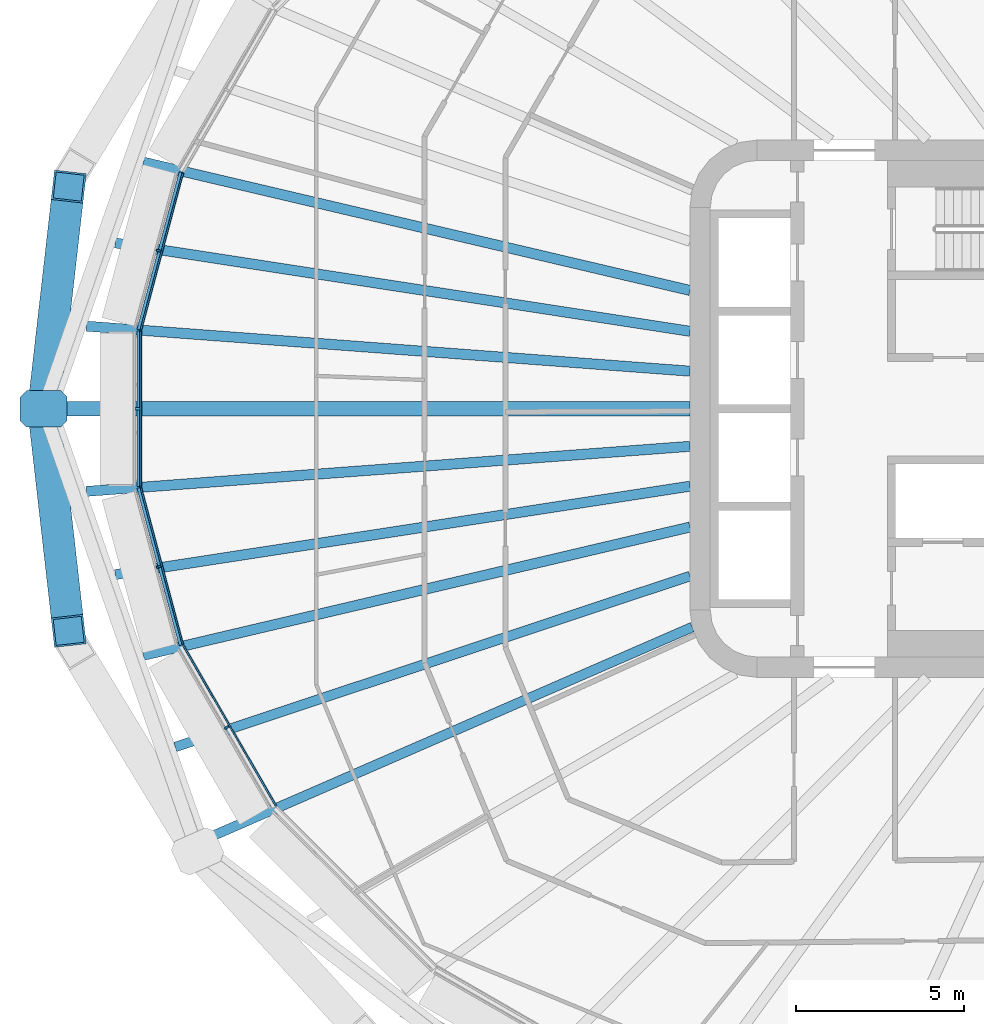
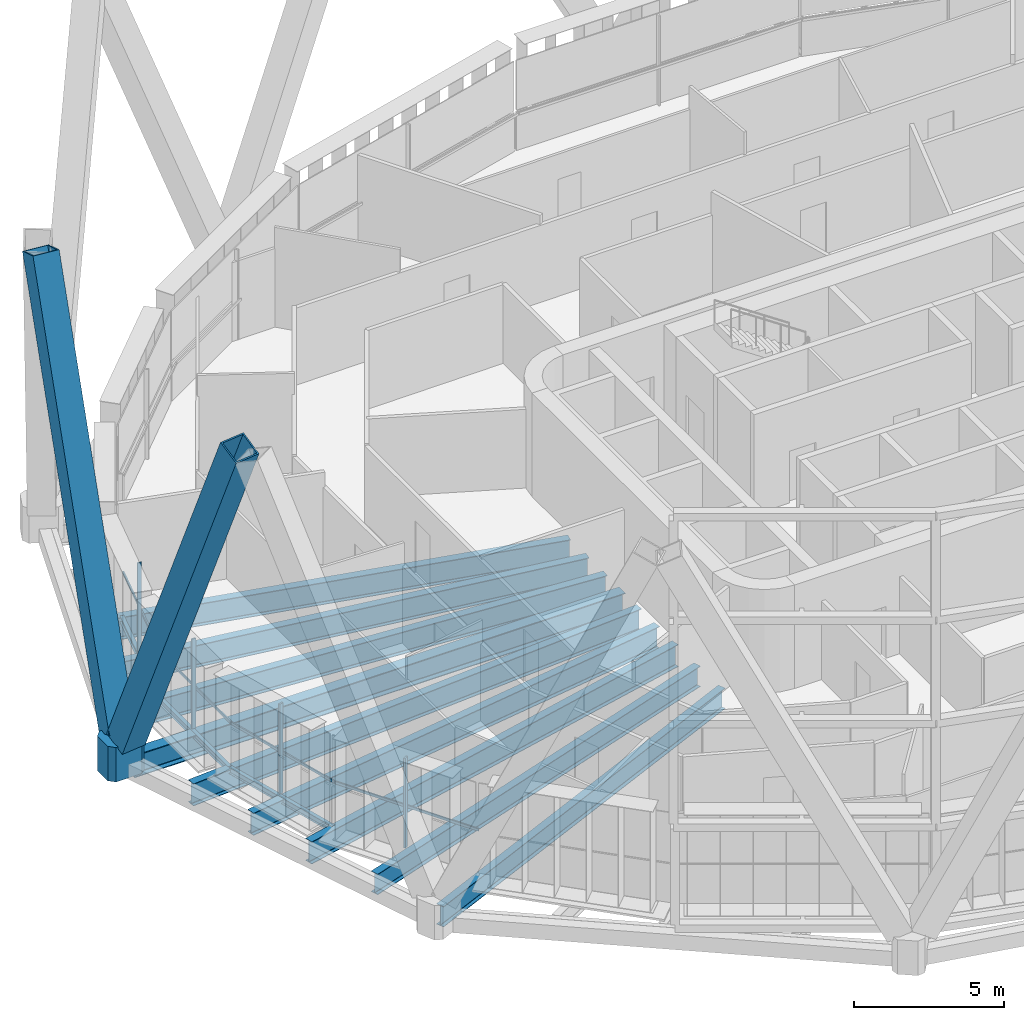
# One storey, part 3 of 25: 12 beams, 11 members, 4 elements without a shape of their own.
"""IFC4 building model written with IfcOpenShell, lengths in metres."""

from ifc_helpers import new_model, si_unit, direction, frame, origin, origin_2d, place, context, subcontext, project, spatial, polyline, rectangle, hollow_rectangle, i_section, outline, extrude, material, layer, layer_set, material_profile, profile_set, type_object, element, aggregate, save


model = new_model("IFC4")

# Units and contexts
model_context = context("Model", 3, precision=1e-05, world=origin(), true_north=direction((0.0, 1.0)))
body_context = subcontext(model_context, "Body", "Model", "MODEL_VIEW")
ifc_project = project(units=[si_unit("LENGTHUNIT", "METRE"), si_unit("AREAUNIT", "SQUARE_METRE"), si_unit("VOLUMEUNIT", "CUBIC_METRE"), si_unit("PLANEANGLEUNIT", "RADIAN"), si_unit("MASSUNIT", "GRAM", prefix="KILO")], contexts=[model_context])

# Site, building, storey
site_placement = place(None, origin())
site = spatial("IfcSite", under=ifc_project, at=site_placement, CompositionType="ELEMENT")
building_placement = place(site_placement, origin())
building = spatial("IfcBuilding", under=site, at=building_placement, Name="Sahrelin Media Tower", CompositionType="ELEMENT")
storey_placement = place(building_placement, frame((0.0, 0.0, 79.800048828125)))
storey = spatial("IfcBuildingStorey", under=building, at=storey_placement, Name="L14", CompositionType="ELEMENT", Elevation=79.800048828125)

# Members
ifc_material_1 = material(Name="Steel S460", Category="steel")
ifc_material_profile_1 = material_profile(ifc_material_1, hollow_rectangle(XDim=0.949951171875, YDim=0.949951171875, WallThickness=0.054931640625, at=origin_2d()), Name="Diagrid diagonal DG2")
ifc_profile_set_1 = profile_set([ifc_material_profile_1], Name="Steel S460")
member_type_1 = type_object("IfcMemberType", Name="Diagrid diagonal DG2", PredefinedType="BRACE", material=ifc_profile_set_1)
for number, where, z_axis, x_axis, name in (
    (1, (-34.219970703125, 0.28759765625, 0.699951171875), (0.043086432688, 0.37969094729, 0.924109486946), (-0.993622935851, 0.112753985968, 0.0), "Diagrid diagonal D02-11"),
    (2, (-34.219970703125, -0.28759765625, 0.699951171875), (0.043086432688, -0.37969094729, 0.924109486946), (0.993622935851, 0.112753985968, 0.0), "Diagrid diagonal D02-12"),
):
    element("IfcMember", number, at=place(storey_placement, frame(where, z_axis=z_axis, x_axis=x_axis)), inside=storey, type_object=member_type_1, Name=name, PredefinedType="BRACE", context=body_context, shape_type="SweptSolid", body=[
        extrude(hollow_rectangle(XDim=0.949951171875, YDim=0.949951171875, WallThickness=0.054931640625, at=origin_2d()), origin(), (0.0, 0.0, 1.0), 16.66455078125),
    ])
ifc_material_profile_2 = material_profile(ifc_material_1, outline(polyline([(0.5, -0.550048828125), (0.699951171875, -0.35009765625), (0.699951171875, 0.35009765625), (0.5, 0.550048828125), (-0.5, 0.550048828125), (-0.699951171875, 0.35009765625), (-0.699951171875, -0.35009765625), (-0.5, -0.550048828125), (0.5, -0.550048828125)])), Name="Diagrid node block 1400")
ifc_profile_set_2 = profile_set([ifc_material_profile_2], Name="Steel S460")
member_type_2 = type_object("IfcMemberType", Name="Diagrid node block 1400", PredefinedType="USERDEFINED", material=ifc_profile_set_2)
member_1_placement = place(storey_placement, frame((-34.252685546875, 0.0, -0.699951171875), z_axis=(0.0, 0.0, 1.0), x_axis=(-1.0, 0.0, 0.0)))
element("IfcMember", 3, at=member_1_placement, inside=storey, type_object=member_type_2, Name="Diagrid node N02-06", ObjectType="NODE", PredefinedType="USERDEFINED", context=body_context, shape_type="SweptSolid", body=[
    extrude(outline(polyline([(0.5, -0.550048828125), (0.699951171875, -0.35009765625), (0.699951171875, 0.35009765625), (0.5, 0.550048828125), (-0.5, 0.550048828125), (-0.699951171875, 0.35009765625), (-0.699951171875, -0.35009765625), (-0.5, -0.550048828125), (0.5, -0.550048828125)])), origin(), (0.0, 0.0, 1.0), 1.39990234375),
])

# Beams
ifc_material_2 = material(Name="Steel S355", Category="steel")
ifc_material_profile_3 = material_profile(ifc_material_2, i_section(OverallWidth=0.14599609375, OverallDepth=0.25146484375, WebThickness=0.006103515625, FlangeThickness=0.008544921875, FilletRadius=0.007568359375, at=origin_2d()), Name="UB 254x146x31")
ifc_profile_set_3 = profile_set([ifc_material_profile_3], Name="Steel S355")
beam_type_1 = type_object("IfcBeamType", Name="Edge beam EB1", PredefinedType="BEAM", material=ifc_profile_set_3)
beam_1_placement = place(storey_placement, frame((-30.14208984375, -7.0390625, -0.275634765625), z_axis=(-0.258767078981, 0.965939749071, 0.0), x_axis=(-0.965939749071, -0.258767078981, 0.0)))
element("IfcBeam", 4, at=beam_1_placement, inside=storey, type_object=beam_type_1, Name="Edge beam L14-12", PredefinedType="BEAM", context=body_context, shape_type="SweptSolid", body=[
    extrude(i_section(OverallWidth=0.14599609375, OverallDepth=0.25146484375, WebThickness=0.006103515625, FlangeThickness=0.008544921875, FilletRadius=0.007568359375, at=origin_2d()), origin(), (0.0, 0.0, 1.0), 4.85595703125),
])
beam_2_placement = place(storey_placement, frame((-31.402587890625, -2.31982421875, -0.275634765625), z_axis=(0.0, 1.0, 0.0), x_axis=(-1.0, 0.0, 0.0)))
element("IfcBeam", 5, at=beam_2_placement, inside=storey, type_object=beam_type_1, Name="Edge beam L14-13", PredefinedType="BEAM", context=body_context, shape_type="SweptSolid", body=[
    extrude(i_section(OverallWidth=0.14599609375, OverallDepth=0.25146484375, WebThickness=0.006103515625, FlangeThickness=0.008544921875, FilletRadius=0.007568359375, at=origin_2d()), origin(), (0.0, 0.0, 1.0), 4.6396484375),
])
beam_3_placement = place(storey_placement, frame((-31.398681640625, 2.348388671875, -0.275634765625), z_axis=(0.258767078981, 0.965939749071, 0.0), x_axis=(-0.965939749071, 0.258767078981, 0.0)))
element("IfcBeam", 6, at=beam_3_placement, inside=storey, type_object=beam_type_1, Name="Edge beam L14-14", PredefinedType="BEAM", context=body_context, shape_type="SweptSolid", body=[
    extrude(i_section(OverallWidth=0.14599609375, OverallDepth=0.25146484375, WebThickness=0.006103515625, FlangeThickness=0.008544921875, FilletRadius=0.007568359375, at=origin_2d()), origin(), (0.0, 0.0, 1.0), 4.85595703125),
])

# Curtain wall, member
ifc_material_3 = material(Name="Champagne anodised aluminium 6063-T6", Category="aluminium")
ifc_layer = layer(ifc_material_3, 0.14990234375)
ifc_layer_set = layer_set([ifc_layer], Name="Tower ribbon curtain wall")
curtain_wall_type = type_object("IfcCurtainWallType", Name="Tower ribbon curtain wall", PredefinedType="NOTDEFINED", material=ifc_layer_set)
curtain_wall_1_placement = place(storey_placement, frame((-30.915283203125, 4.732666015625, 0.0), z_axis=(0.0, 0.0, 1.0), x_axis=(1.0, 0.0, 0.0)))
curtain_wall_1 = element("IfcCurtainWall", 7, at=curtain_wall_1_placement, inside=storey, type_object=curtain_wall_type, Name="L14:CW:L14-11", PredefinedType="NOTDEFINED")
ifc_material_profile_4 = material_profile(ifc_material_3, rectangle(XDim=0.06005859375, YDim=0.14990234375, at=origin_2d()), Name="Mullion 60x150")
ifc_profile_set_4 = profile_set([ifc_material_profile_4], Name="Champagne anodised aluminium 6063-T6")
member_type_3 = type_object("IfcMemberType", Name="Mullion 60x150 CW1", PredefinedType="MULLION", material=ifc_profile_set_4)
member_2_placement = place(storey_placement, frame((-30.823486328125, 4.7080078125, 0.0), z_axis=(0.0, 0.0, 1.0), x_axis=(-0.258822416818, -0.965924922834, 0.0)))
member_2 = element("IfcMember", 8, at=member_2_placement, type_object=member_type_3, Name="L14:CWM:L14-11", PredefinedType="MULLION", context=body_context, shape_type="SweptSolid", body=[
    extrude(rectangle(XDim=0.06005859375, YDim=0.14990234375, at=origin_2d()), origin(), (0.0, 0.0, 1.0), 3.6484375),
])

curtain_wall_2_placement = place(storey_placement, frame((-31.552490234375, 0.0, 0.0), z_axis=(0.0, 0.0, 1.0), x_axis=(1.0, 0.0, 0.0)))
curtain_wall_2 = element("IfcCurtainWall", 9, at=curtain_wall_2_placement, inside=storey, type_object=curtain_wall_type, Name="L14:CW:L14-12", PredefinedType="NOTDEFINED")
member_3_placement = place(storey_placement, frame((-31.45751953125, 0.0, 0.0), z_axis=(0.0, 0.0, 1.0), x_axis=(0.0, -1.0, 0.0)))
member_3 = element("IfcMember", 10, at=member_3_placement, type_object=member_type_3, Name="L14:CWM:L14-12", PredefinedType="MULLION", context=body_context, shape_type="SweptSolid", body=[
    extrude(rectangle(XDim=0.06005859375, YDim=0.14990234375, at=origin_2d()), origin(), (0.0, 0.0, 1.0), 3.6484375),
])

curtain_wall_3_placement = place(storey_placement, frame((-30.915283203125, -4.732666015625, 0.0), z_axis=(0.0, 0.0, 1.0), x_axis=(1.0, 0.0, 0.0)))
curtain_wall_3 = element("IfcCurtainWall", 11, at=curtain_wall_3_placement, inside=storey, type_object=curtain_wall_type, Name="L14:CW:L14-13", PredefinedType="NOTDEFINED")
member_4_placement = place(storey_placement, frame((-30.823486328125, -4.7080078125, 0.0), z_axis=(0.0, 0.0, 1.0), x_axis=(0.258822416818, -0.965924922834, 0.0)))
member_4 = element("IfcMember", 12, at=member_4_placement, type_object=member_type_3, Name="L14:CWM:L14-13", PredefinedType="MULLION", context=body_context, shape_type="SweptSolid", body=[
    extrude(rectangle(XDim=0.06005859375, YDim=0.14990234375, at=origin_2d()), origin(), (0.0, 0.0, 1.0), 3.6484375),
])

curtain_wall_4_placement = place(storey_placement, frame((-28.876708984375, -9.5380859375, 0.0), z_axis=(0.0, 0.0, 1.0), x_axis=(1.0, 0.0, 0.0)))
curtain_wall_4 = element("IfcCurtainWall", 13, at=curtain_wall_4_placement, inside=storey, type_object=curtain_wall_type, Name="L14:CW:L14-14", PredefinedType="NOTDEFINED")
member_5_placement = place(storey_placement, frame((-28.79443359375, -9.490478515625, 0.0), z_axis=(0.0, 0.0, 1.0), x_axis=(0.5, -0.866025403784, 0.0)))
member_5 = element("IfcMember", 14, at=member_5_placement, type_object=member_type_3, Name="L14:CWM:L14-14", PredefinedType="MULLION", context=body_context, shape_type="SweptSolid", body=[
    extrude(rectangle(XDim=0.06005859375, YDim=0.14990234375, at=origin_2d()), origin(), (0.0, 0.0, 1.0), 3.6484375),
])

# Beams
ifc_material_profile_5 = material_profile(ifc_material_2, i_section(OverallWidth=0.291748046875, OverallDepth=0.8349609375, WebThickness=0.013916015625, FlangeThickness=0.018798828125, FilletRadius=0.017822265625, at=origin_2d()), Name="UB 838x292x176")
ifc_profile_set_5 = profile_set([ifc_material_profile_5], Name="Steel S355")
beam_type_2 = type_object("IfcBeamType", Name="Radial primary beam PB10", PredefinedType="BEAM", material=ifc_profile_set_5)
beam_4_placement = place(storey_placement, frame((-14.933837890625, -6.50341796875, -0.567626953125), z_axis=(-0.916840562367, -0.399253532482, 0.0), x_axis=(0.399253532482, -0.916840562367, 0.0)))
element("IfcBeam", 15, at=beam_4_placement, inside=storey, type_object=beam_type_2, Name="Radial beam L14-15", PredefinedType="BEAM", context=body_context, shape_type="SweptSolid", body=[
    extrude(i_section(OverallWidth=0.291748046875, OverallDepth=0.8349609375, WebThickness=0.013916015625, FlangeThickness=0.018798828125, FilletRadius=0.017822265625, at=origin_2d()), origin(), (0.0, 0.0, 1.0), 15.75634765625),
])
ifc_material_profile_6 = material_profile(ifc_material_2, i_section(OverallWidth=0.30322265625, OverallDepth=0.903076171875, WebThickness=0.01513671875, FlangeThickness=0.020263671875, FilletRadius=0.01904296875, at=origin_2d()), Name="UB 914x305x201")
ifc_profile_set_6 = profile_set([ifc_material_profile_6], Name="Steel S355")
beam_type_3 = type_object("IfcBeamType", Name="Radial primary beam PB11", PredefinedType="BEAM", material=ifc_profile_set_6)
beam_5_placement = place(storey_placement, frame((-15.0, 3.52294921875, -0.6015625), z_axis=(-0.973510923424, 0.228640508167, 0.0), x_axis=(-0.228640508167, -0.973510923424, 0.0)))
element("IfcBeam", 16, at=beam_5_placement, inside=storey, type_object=beam_type_3, Name="Radial beam L14-11", PredefinedType="BEAM", context=body_context, shape_type="SweptSolid", body=[
    extrude(i_section(OverallWidth=0.30322265625, OverallDepth=0.903076171875, WebThickness=0.01513671875, FlangeThickness=0.020263671875, FilletRadius=0.01904296875, at=origin_2d()), origin(), (0.0, 0.0, 1.0), 16.719482421875),
])
for number, where, z_axis, x_axis, name in (
    (17, (-15.0, 1.119140625, -0.6015625), (-0.997228147563, 0.074404446835, 0.0), (-0.074404446835, -0.997228147563, 0.0), "Radial beam L14-12"),
    (18, (-15.0, -1.119140625, -0.6015625), (-0.997228147563, -0.074404446835, 0.0), (0.074404446835, -0.997228147563, 0.0), "Radial beam L14-13"),
):
    element("IfcBeam", number, at=place(storey_placement, frame(where, z_axis=z_axis, x_axis=x_axis)), inside=storey, type_object=beam_type_3, Name=name, PredefinedType="BEAM", context=body_context, shape_type="SweptSolid", body=[
        extrude(i_section(OverallWidth=0.30322265625, OverallDepth=0.903076171875, WebThickness=0.01513671875, FlangeThickness=0.020263671875, FilletRadius=0.01904296875, at=origin_2d()), origin(), (0.0, 0.0, 1.0), 18.02734375),
    ])
beam_6_placement = place(storey_placement, frame((-15.0, -3.52294921875, -0.6015625), z_axis=(-0.973510923424, -0.228640508167, 0.0), x_axis=(0.228640508167, -0.973510923424, 0.0)))
element("IfcBeam", 19, at=beam_6_placement, inside=storey, type_object=beam_type_3, Name="Radial beam L14-14", PredefinedType="BEAM", context=body_context, shape_type="SweptSolid", body=[
    extrude(i_section(OverallWidth=0.30322265625, OverallDepth=0.903076171875, WebThickness=0.01513671875, FlangeThickness=0.020263671875, FilletRadius=0.01904296875, at=origin_2d()), origin(), (0.0, 0.0, 1.0), 16.719482421875),
])
ifc_material_profile_7 = material_profile(ifc_material_2, i_section(OverallWidth=0.291748046875, OverallDepth=0.8349609375, WebThickness=0.013916015625, FlangeThickness=0.018798828125, FilletRadius=0.017822265625, at=origin_2d()), Name="UB 838x292x176")
ifc_profile_set_7 = profile_set([ifc_material_profile_7], Name="Steel S355")
beam_type_4 = type_object("IfcBeamType", Name="Radial secondary beam SB10", PredefinedType="BEAM", material=ifc_profile_set_7)
beam_7_placement = place(storey_placement, frame((-15.0, -4.982421875, -0.567626953125), z_axis=(-0.949016844351, -0.31522536246, 0.0), x_axis=(0.31522536246, -0.949016844351, 0.0)))
element("IfcBeam", 20, at=beam_7_placement, inside=storey, type_object=beam_type_4, Name="Secondary beam L14-14", PredefinedType="BEAM", context=body_context, shape_type="SweptSolid", body=[
    extrude(i_section(OverallWidth=0.291748046875, OverallDepth=0.8349609375, WebThickness=0.013916015625, FlangeThickness=0.018798828125, FilletRadius=0.017822265625, at=origin_2d()), origin(), (0.0, 0.0, 1.0), 16.150634765625),
])
ifc_material_profile_8 = material_profile(ifc_material_2, i_section(OverallWidth=0.30322265625, OverallDepth=0.903076171875, WebThickness=0.01513671875, FlangeThickness=0.020263671875, FilletRadius=0.01904296875, at=origin_2d()), Name="UB 914x305x201")
ifc_profile_set_8 = profile_set([ifc_material_profile_8], Name="Steel S355")
beam_type_5 = type_object("IfcBeamType", Name="Radial secondary beam SB11", PredefinedType="BEAM", material=ifc_profile_set_8)
for number, where, z_axis, x_axis, name in (
    (21, (-15.0, 2.306640625, -0.6015625), (-0.988384245044, 0.151975603796, 0.0), (-0.151975603796, -0.988384245044, 0.0), "Secondary beam L14-11"),
    (22, (-15.0, -2.306640625, -0.6015625), (-0.988384245044, -0.151975603796, 0.0), (0.151975603796, -0.988384245044, 0.0), "Secondary beam L14-13"),
):
    element("IfcBeam", number, at=place(storey_placement, frame(where, z_axis=z_axis, x_axis=x_axis)), inside=storey, type_object=beam_type_5, Name=name, PredefinedType="BEAM", context=body_context, shape_type="SweptSolid", body=[
        extrude(i_section(OverallWidth=0.30322265625, OverallDepth=0.903076171875, WebThickness=0.01513671875, FlangeThickness=0.020263671875, FilletRadius=0.01904296875, at=origin_2d()), origin(), (0.0, 0.0, 1.0), 17.31591796875),
    ])
ifc_material_profile_9 = material_profile(ifc_material_2, i_section(OverallWidth=0.41845703125, OverallDepth=0.911865234375, WebThickness=0.019287109375, FlangeThickness=0.031982421875, FilletRadius=0.024169921875, at=origin_2d()), Name="UB 914x419x343")
ifc_profile_set_9 = profile_set([ifc_material_profile_9], Name="Steel S355")
beam_type_6 = type_object("IfcBeamType", Name="Radial secondary beam SB12", PredefinedType="BEAM", material=ifc_profile_set_9)
beam_8_placement = place(storey_placement, frame((-15.0, 0.0, -0.60595703125), z_axis=(-1.0, 0.0, 0.0), x_axis=(0.0, -1.0, 0.0)))
element("IfcBeam", 23, at=beam_8_placement, inside=storey, type_object=beam_type_6, Name="Secondary beam L14-12", PredefinedType="BEAM", context=body_context, shape_type="SweptSolid", body=[
    extrude(i_section(OverallWidth=0.41845703125, OverallDepth=0.911865234375, WebThickness=0.019287109375, FlangeThickness=0.031982421875, FilletRadius=0.024169921875, at=origin_2d()), origin(), (0.0, 0.0, 1.0), 18.833984375),
])

# Member
ifc_material_profile_10 = material_profile(ifc_material_3, rectangle(XDim=0.050048828125, YDim=0.10009765625, at=origin_2d()), Name="Transom 50x100")
ifc_profile_set_10 = profile_set([ifc_material_profile_10], Name="Champagne anodised aluminium 6063-T6")
member_type_4 = type_object("IfcMemberType", Name="Transom 50x100 CW1", PredefinedType="USERDEFINED", material=ifc_profile_set_10)
member_6_placement = place(storey_placement, frame((-30.1025390625, 7.01220703125, 1.599853515625), z_axis=(-0.258837260833, -0.965920945215, 0.0), x_axis=(0.965920945215, -0.258837260833, 0.0)))
member_6 = element("IfcMember", 24, at=member_6_placement, type_object=member_type_4, Name="L14:CWT:L14-11", ObjectType="TRANSOM", PredefinedType="USERDEFINED", context=body_context, shape_type="SweptSolid", body=[
    extrude(rectangle(XDim=0.050048828125, YDim=0.10009765625, at=origin_2d()), origin(), (0.0, 0.0, 1.0), 4.824462890625),
])

aggregate(curtain_wall_1, [member_2, member_6])

member_7_placement = place(storey_placement, frame((-31.357666015625, 2.30419921875, 1.599853515625), z_axis=(0.0, -1.0, 0.0), x_axis=(1.0, 0.0, 0.0)))
member_7 = element("IfcMember", 25, at=member_7_placement, type_object=member_type_4, Name="L14:CWT:L14-12", ObjectType="TRANSOM", PredefinedType="USERDEFINED", context=body_context, shape_type="SweptSolid", body=[
    extrude(rectangle(XDim=0.050048828125, YDim=0.10009765625, at=origin_2d()), origin(), (0.0, 0.0, 1.0), 4.6083984375),
])

aggregate(curtain_wall_2, [member_3, member_7])

member_8_placement = place(storey_placement, frame((-31.351318359375, -2.35205078125, 1.599853515625), z_axis=(0.258837260833, -0.965920945215, 0.0), x_axis=(0.965920945215, 0.258837260833, 0.0)))
member_8 = element("IfcMember", 26, at=member_8_placement, type_object=member_type_4, Name="L14:CWT:L14-13", ObjectType="TRANSOM", PredefinedType="USERDEFINED", context=body_context, shape_type="SweptSolid", body=[
    extrude(rectangle(XDim=0.050048828125, YDim=0.10009765625, at=origin_2d()), origin(), (0.0, 0.0, 1.0), 4.824462890625),
])

aggregate(curtain_wall_3, [member_4, member_8])

member_9_placement = place(storey_placement, frame((-30.083984375, -7.056884765625, 1.599853515625), z_axis=(0.499969440488, -0.866043046608, 0.0), x_axis=(0.866043046608, 0.499969440488, 0.0)))
member_9 = element("IfcMember", 27, at=member_9_placement, type_object=member_type_4, Name="L14:CWT:L14-14", ObjectType="TRANSOM", PredefinedType="USERDEFINED", context=body_context, shape_type="SweptSolid", body=[
    extrude(rectangle(XDim=0.050048828125, YDim=0.10009765625, at=origin_2d()), origin(), (0.0, 0.0, 1.0), 5.504638671875),
])

aggregate(curtain_wall_4, [member_5, member_9])

save(model, "model.ifc")
